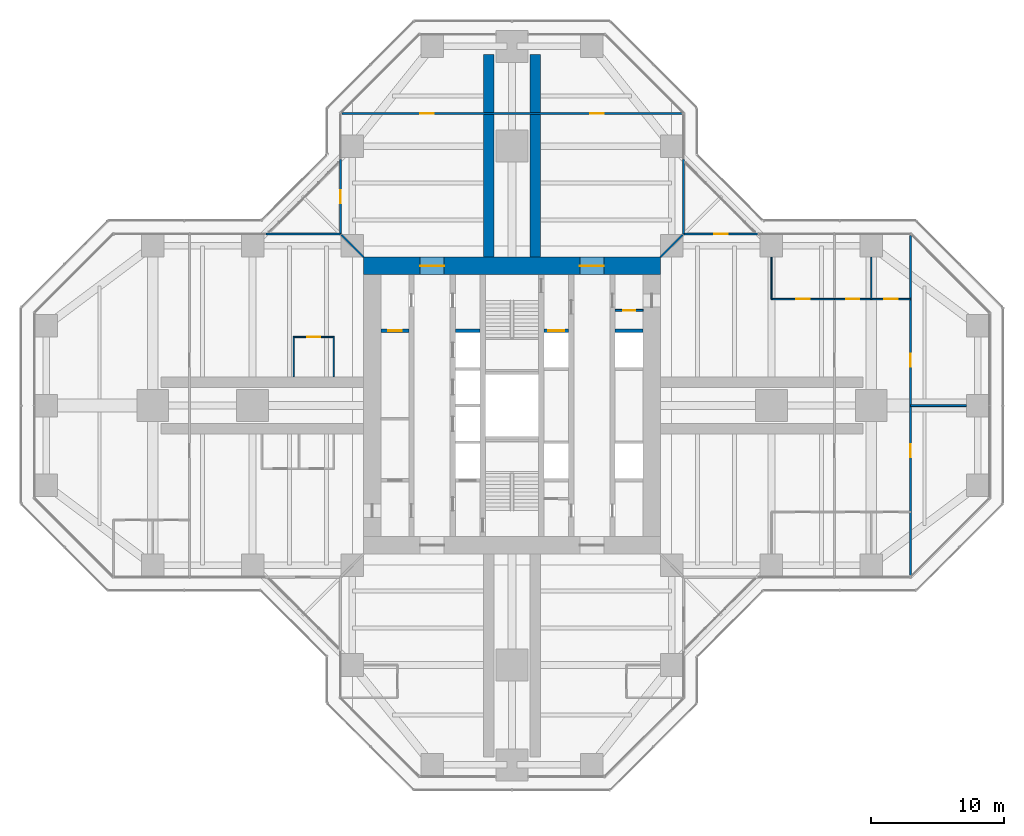
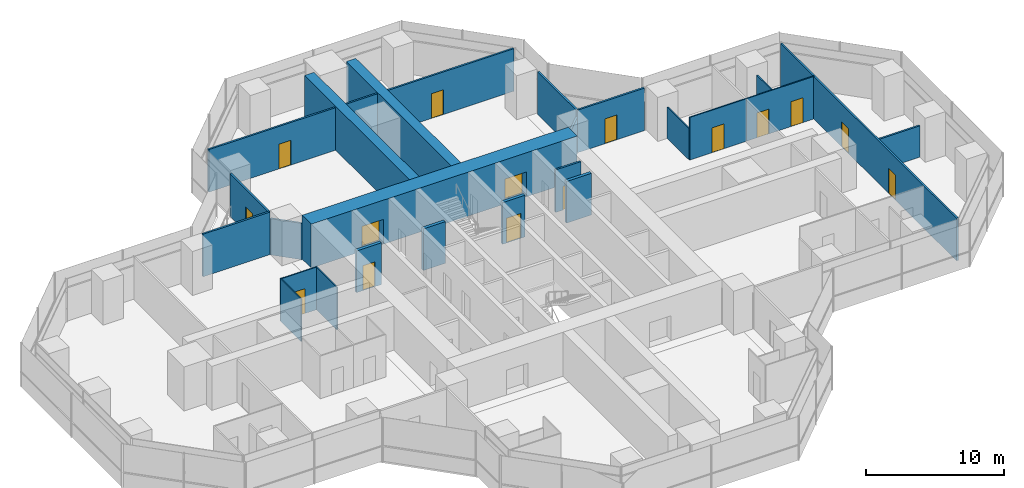
# One storey, part 17 of 20: 24 walls, 15 doors, 15 openings.
"""IFC4 building model written with IfcOpenShell, lengths in metres."""

from ifc_helpers import new_model, si_unit, direction, frame, frame_2d, origin, place, context, subcontext, project, spatial, rectangle, extrude, material, layer, layer_set, type_object, element, fill, save


model = new_model("IFC4")

# Units and contexts
model_context = context("Model", 3, precision=1e-05, world=origin(), true_north=direction((0.0, 1.0)))
body_context = subcontext(model_context, "Body", "Model", "MODEL_VIEW")
ifc_project = project(units=[si_unit("LENGTHUNIT", "METRE"), si_unit("AREAUNIT", "SQUARE_METRE"), si_unit("VOLUMEUNIT", "CUBIC_METRE"), si_unit("PLANEANGLEUNIT", "RADIAN"), si_unit("MASSUNIT", "GRAM", prefix="KILO")], contexts=[model_context])

# Site, building, storey
site_placement = place(None, origin())
site = spatial("IfcSite", under=ifc_project, at=site_placement, CompositionType="ELEMENT")
building_placement = place(site_placement, origin())
building = spatial("IfcBuilding", under=site, at=building_placement, Name="Mizan Broadcast Tower", CompositionType="ELEMENT")
storey_placement = place(building_placement, frame((0.0, 0.0, 143.699951171875)))
storey = spatial("IfcBuildingStorey", under=building, at=storey_placement, Name="L32", CompositionType="ELEMENT", Elevation=143.699951171875)

# Wall, opening, door
ifc_material_1 = material(Name="Concrete blockwork", Category="masonry")
ifc_layer_1 = layer(ifc_material_1, 0.14990234375)
ifc_layer_set_1 = layer_set([ifc_layer_1], Name="Concrete blockwork")
wall_type_1 = type_object("IfcWallType", Name="CORE PARTITION 150", PredefinedType="SOLIDWALL", material=ifc_layer_set_1)
wall_1_placement = place(storey_placement, frame((9.85009765625, 7.14990234375, 0.0), z_axis=(0.0, 0.0, 1.0), x_axis=(-1.0, 0.0, 0.0)))
wall_1 = element("IfcWall", 1, at=wall_1_placement, inside=storey, type_object=wall_type_1, Name="Core partition CORE/XPE", PredefinedType="SOLIDWALL", context=body_context, shape_type="SweptSolid", body=[
    extrude(rectangle(XDim=2.10009765625, YDim=0.14990234375, at=frame_2d((1.050048828125, 0.0))), origin(), (0.0, 0.0, 1.0), 3.77001953125),
])
opening_1_placement = place(wall_1_placement, frame((0.60009765625, 0.0, 0.0)))
opening_1 = element("IfcOpeningElement", 2, at=opening_1_placement, cuts=wall_1, Name="Opening D09F", PredefinedType="OPENING", context=body_context, shape_type="SweptSolid", body=[
    extrude(rectangle(XDim=0.89990234375, YDim=2.10009765625, at=frame_2d((0.449951171875, 1.050048828125))), frame((0.0, 0.0849609375, 0.0), z_axis=(0.0, -1.0, 0.0), x_axis=(1.0, 0.0, 0.0)), (0.0, 0.0, 1.0), 0.169921875),
])
ifc_material_2 = material(Name="Steel door leaf in steel frame", Category="steel")
door_type_1 = type_object("IfcDoorType", Name="CORE ROOM DOOR 900 FD90", OperationType="SINGLE_SWING_LEFT", PredefinedType="DOOR", material=ifc_material_2)
door_1_placement = place(opening_1_placement, origin())
door_1 = element("IfcDoor", 3, at=door_1_placement, inside=storey, type_object=door_type_1, Name="Electrical cupboard door", OperationType="SINGLE_SWING_RIGHT", OverallHeight=2.10009765625, OverallWidth=0.89990234375, PredefinedType="DOOR", context=body_context, shape_type="SweptSolid", body=[
    extrude(rectangle(XDim=0.89990234375, YDim=2.10009765625, at=frame_2d((0.449951171875, 1.050048828125))), frame((0.0, 0.02490234375, 0.0), z_axis=(0.0, -1.0, 0.0), x_axis=(1.0, 0.0, 0.0)), (0.0, 0.0, 1.0), 0.050048828125),
])
fill(opening_1, door_1)

# Wall, openings, doors
ifc_material_3 = material(Name="Concrete C70/85", Category="concrete")
ifc_layer_2 = layer(ifc_material_3, 1.300048828125)
ifc_layer_set_2 = layer_set([ifc_layer_2], Name="Concrete C70/85")
wall_type_2 = type_object("IfcWallType", Name="CORE WALL 1300", PredefinedType="SHEAR", material=ifc_layer_set_2)
wall_2_placement = place(storey_placement, frame((-11.14990234375, 10.5, 0.0), z_axis=(0.0, 0.0, 1.0), x_axis=(1.0, 0.0, 0.0)))
wall_2 = element("IfcWall", 4, at=wall_2_placement, inside=storey, type_object=wall_type_2, Name="Core wall N L32", PredefinedType="SHEAR", context=body_context, shape_type="SweptSolid", body=[
    extrude(rectangle(XDim=22.2998046875, YDim=1.300048828125, at=frame_2d((11.14990234375, 0.0))), origin(), (0.0, 0.0, 1.0), 3.900146484375),
])
opening_2_placement = place(wall_2_placement, frame((4.25, 0.0, 0.0)))
opening_2 = element("IfcOpeningElement", 5, at=opening_2_placement, cuts=wall_2, Name="Opening D18F", PredefinedType="OPENING", context=body_context, shape_type="SweptSolid", body=[
    extrude(rectangle(XDim=1.800048828125, YDim=2.199951171875, at=frame_2d((0.89990234375, 1.10009765625))), frame((0.0, 0.659912109375, 0.0), z_axis=(0.0, -1.0, 0.0), x_axis=(1.0, 0.0, 0.0)), (0.0, 0.0, 1.0), 1.320068359375),
])
opening_3_placement = place(wall_2_placement, frame((16.25, 0.0, 0.0)))
opening_3 = element("IfcOpeningElement", 6, at=opening_3_placement, cuts=wall_2, Name="Opening D18F", PredefinedType="OPENING", context=body_context, shape_type="SweptSolid", body=[
    extrude(rectangle(XDim=1.800048828125, YDim=2.199951171875, at=frame_2d((0.89990234375, 1.10009765625))), frame((0.0, 0.659912109375, 0.0), z_axis=(0.0, -1.0, 0.0), x_axis=(1.0, 0.0, 0.0)), (0.0, 0.0, 1.0), 1.320068359375),
])
ifc_material_4 = material(Name="Steel door leaf in steel frame", Category="steel")
door_type_2 = type_object("IfcDoorType", Name="LOBBY DOUBLE DOOR 1800 FD90", OperationType="DOUBLE_DOOR_DOUBLE_SWING", PredefinedType="DOOR", material=ifc_material_4)
door_2_placement = place(opening_2_placement, origin())
door_2 = element("IfcDoor", 7, at=door_2_placement, inside=storey, type_object=door_type_2, Name="West lift lobby north door", OperationType="DOUBLE_DOOR_DOUBLE_SWING", OverallHeight=2.199951171875, OverallWidth=1.800048828125, PredefinedType="DOOR", context=body_context, shape_type="SweptSolid", body=[
    extrude(rectangle(XDim=1.800048828125, YDim=2.199951171875, at=frame_2d((0.89990234375, 1.10009765625))), frame((0.0, 0.02490234375, 0.0), z_axis=(0.0, -1.0, 0.0), x_axis=(1.0, 0.0, 0.0)), (0.0, 0.0, 1.0), 0.050048828125),
])
fill(opening_2, door_2)
door_3_placement = place(opening_3_placement, origin())
door_3 = element("IfcDoor", 8, at=door_3_placement, inside=storey, type_object=door_type_2, Name="East lift lobby north door", OperationType="DOUBLE_DOOR_DOUBLE_SWING", OverallHeight=2.199951171875, OverallWidth=1.800048828125, PredefinedType="DOOR", context=body_context, shape_type="SweptSolid", body=[
    extrude(rectangle(XDim=1.800048828125, YDim=2.199951171875, at=frame_2d((0.89990234375, 1.10009765625))), frame((0.0, 0.02490234375, 0.0), z_axis=(0.0, -1.0, 0.0), x_axis=(1.0, 0.0, 0.0)), (0.0, 0.0, 1.0), 0.050048828125),
])
fill(opening_3, door_3)

# Wall, opening, door
ifc_material_5 = material(Name="Aluminium framed glazed screen", Category="aluminium")
ifc_layer_3 = layer(ifc_material_5, 0.159912109375)
ifc_layer_set_3 = layer_set([ifc_layer_3], Name="Aluminium framed glazed screen")
wall_type_3 = type_object("IfcWallType", Name="GLAZED SCREEN WALL 160", PredefinedType="SOLIDWALL", material=ifc_layer_set_3)
wall_3_placement = place(storey_placement, frame((18.5, 12.89990234375, 0.0), z_axis=(0.0, 0.0, 1.0), x_axis=(-1.0, 0.0, 0.0)))
wall_3 = element("IfcWall", 9, at=wall_3_placement, inside=storey, type_object=wall_type_3, Name="Winter garden screen L32 E", PredefinedType="SOLIDWALL", context=body_context, shape_type="SweptSolid", body=[
    extrude(rectangle(XDim=5.60009765625, YDim=0.159912109375, at=frame_2d((2.800048828125, 0.0))), origin(), (0.0, 0.0, 1.0), 3.77001953125),
])
opening_4_placement = place(wall_3_placement, frame((2.300048828125, 0.0, 0.0)))
opening_4 = element("IfcOpeningElement", 10, at=opening_4_placement, cuts=wall_3, Name="Opening WGD", PredefinedType="OPENING", context=body_context, shape_type="SweptSolid", body=[
    extrude(rectangle(XDim=1.0, YDim=2.199951171875, at=frame_2d((0.5, 1.10009765625))), frame((0.0, 0.08984375, 0.0), z_axis=(0.0, -1.0, 0.0), x_axis=(1.0, 0.0, 0.0)), (0.0, 0.0, 1.0), 0.179931640625),
])
ifc_material_6 = material(Name="Aluminium framed glazed door", Category="aluminium")
door_type_3 = type_object("IfcDoorType", Name="WINTER GARDEN DOOR 1000 GLAZED", OperationType="SINGLE_SWING_LEFT", PredefinedType="DOOR", material=ifc_material_6)
door_4_placement = place(opening_4_placement, origin())
door_4 = element("IfcDoor", 11, at=door_4_placement, inside=storey, type_object=door_type_3, Name="Winter garden door L32 E", OperationType="SINGLE_SWING_RIGHT", OverallHeight=2.199951171875, OverallWidth=1.0, PredefinedType="DOOR", context=body_context, shape_type="SweptSolid", body=[
    extrude(rectangle(XDim=1.0, YDim=2.199951171875, at=frame_2d((0.5, 1.10009765625))), frame((0.0, 0.02490234375, 0.0), z_axis=(0.0, -1.0, 0.0), x_axis=(1.0, 0.0, 0.0)), (0.0, 0.0, 1.0), 0.050048828125),
])
fill(opening_4, door_4)

# Wall
wall_4_placement = place(storey_placement, frame((12.89990234375, 12.89990234375, 0.0), z_axis=(0.0, 0.0, 1.0), x_axis=(0.0, 1.0, 0.0)))
element("IfcWall", 12, at=wall_4_placement, inside=storey, type_object=wall_type_3, Name="Winter garden screen L32 N", PredefinedType="SOLIDWALL", context=body_context, shape_type="SweptSolid", body=[
    extrude(rectangle(XDim=5.60009765625, YDim=0.159912109375, at=frame_2d((2.800048828125, 0.0))), origin(), (0.0, 0.0, 1.0), 3.77001953125),
])

# Wall, opening, door
wall_5_placement = place(storey_placement, frame((-12.89990234375, 18.5, 0.0), z_axis=(0.0, 0.0, 1.0), x_axis=(0.0, -1.0, 0.0)))
wall_5 = element("IfcWall", 13, at=wall_5_placement, inside=storey, type_object=wall_type_3, Name="Winter garden screen L32 N", PredefinedType="SOLIDWALL", context=body_context, shape_type="SweptSolid", body=[
    extrude(rectangle(XDim=5.60009765625, YDim=0.159912109375, at=frame_2d((2.800048828125, 0.0))), origin(), (0.0, 0.0, 1.0), 3.77001953125),
])
opening_5_placement = place(wall_5_placement, frame((2.300048828125, 0.0, 0.0)))
opening_5 = element("IfcOpeningElement", 14, at=opening_5_placement, cuts=wall_5, Name="Opening WGD", PredefinedType="OPENING", context=body_context, shape_type="SweptSolid", body=[
    extrude(rectangle(XDim=1.0, YDim=2.199951171875, at=frame_2d((0.5, 1.10009765625))), frame((0.0, 0.08984375, 0.0), z_axis=(0.0, -1.0, 0.0), x_axis=(1.0, 0.0, 0.0)), (0.0, 0.0, 1.0), 0.179931640625),
])
door_5_placement = place(opening_5_placement, origin())
door_5 = element("IfcDoor", 15, at=door_5_placement, inside=storey, type_object=door_type_3, Name="Winter garden door L32 N", OperationType="SINGLE_SWING_RIGHT", OverallHeight=2.199951171875, OverallWidth=1.0, PredefinedType="DOOR", context=body_context, shape_type="SweptSolid", body=[
    extrude(rectangle(XDim=1.0, YDim=2.199951171875, at=frame_2d((0.5, 1.10009765625))), frame((0.0, 0.02490234375, 0.0), z_axis=(0.0, -1.0, 0.0), x_axis=(1.0, 0.0, 0.0)), (0.0, 0.0, 1.0), 0.050048828125),
])
fill(opening_5, door_5)

# Wall
wall_6_placement = place(storey_placement, frame((-12.89990234375, 12.89990234375, 0.0), z_axis=(0.0, 0.0, 1.0), x_axis=(-1.0, 0.0, 0.0)))
element("IfcWall", 16, at=wall_6_placement, inside=storey, type_object=wall_type_3, Name="Winter garden screen L32 W", PredefinedType="SOLIDWALL", context=body_context, shape_type="SweptSolid", body=[
    extrude(rectangle(XDim=5.60009765625, YDim=0.159912109375, at=frame_2d((2.800048828125, 0.0))), origin(), (0.0, 0.0, 1.0), 3.77001953125),
])

# Wall, opening, door
ifc_material_7 = material(Name="Concrete blockwork", Category="masonry")
ifc_layer_4 = layer(ifc_material_7, 0.25)
ifc_layer_set_4 = layer_set([ifc_layer_4], Name="Concrete blockwork")
wall_type_4 = type_object("IfcWallType", Name="LOBBY ENCLOSURE WALL 250", PredefinedType="SOLIDWALL", material=ifc_layer_set_4)
wall_7_placement = place(storey_placement, frame((-9.85009765625, 5.625, 0.0), z_axis=(0.0, 0.0, 1.0), x_axis=(1.0, 0.0, 0.0)))
wall_7 = element("IfcWall", 17, at=wall_7_placement, inside=storey, type_object=wall_type_4, Name="Lobby enclosure wall CORE/BW1N", PredefinedType="SOLIDWALL", context=body_context, shape_type="SweptSolid", body=[
    extrude(rectangle(XDim=2.10009765625, YDim=0.25, at=frame_2d((1.050048828125, 0.0))), origin(), (0.0, 0.0, 1.0), 3.699951171875),
])
opening_6_placement = place(wall_7_placement, frame((0.550048828125, 0.0, 0.0)))
opening_6 = element("IfcOpeningElement", 18, at=opening_6_placement, cuts=wall_7, Name="Opening D10F", PredefinedType="OPENING", context=body_context, shape_type="SweptSolid", body=[
    extrude(rectangle(XDim=1.0, YDim=2.199951171875, at=frame_2d((0.5, 1.10009765625))), frame((0.0, 0.135009765625, 0.0), z_axis=(0.0, -1.0, 0.0), x_axis=(1.0, 0.0, 0.0)), (0.0, 0.0, 1.0), 0.27001953125),
])
ifc_material_8 = material(Name="Steel door leaf in steel frame", Category="steel")
door_type_4 = type_object("IfcDoorType", Name="FIRE DOOR 1000 FD90", OperationType="SINGLE_SWING_LEFT", PredefinedType="DOOR", material=ifc_material_8)
door_6_placement = place(opening_6_placement, origin())
door_6 = element("IfcDoor", 19, at=door_6_placement, inside=storey, type_object=door_type_4, Name="Staff changing room door", OperationType="SINGLE_SWING_RIGHT", OverallHeight=2.199951171875, OverallWidth=1.0, PredefinedType="DOOR", context=body_context, shape_type="SweptSolid", body=[
    extrude(rectangle(XDim=1.0, YDim=2.199951171875, at=frame_2d((0.5, 1.10009765625))), frame((0.0, 0.02490234375, 0.0), z_axis=(0.0, -1.0, 0.0), x_axis=(1.0, 0.0, 0.0)), (0.0, 0.0, 1.0), 0.050048828125),
])
fill(opening_6, door_6)

# Wall
wall_8_placement = place(storey_placement, frame((-4.25, 5.625, 0.0), z_axis=(0.0, 0.0, 1.0), x_axis=(1.0, 0.0, 0.0)))
element("IfcWall", 20, at=wall_8_placement, inside=storey, type_object=wall_type_4, Name="Lobby enclosure wall CORE/BW2N", PredefinedType="SOLIDWALL", context=body_context, shape_type="SweptSolid", body=[
    extrude(rectangle(XDim=1.85009765625, YDim=0.25, at=frame_2d((0.925048828125, 0.0))), origin(), (0.0, 0.0, 1.0), 3.699951171875),
])

# Wall, opening, door
wall_9_placement = place(storey_placement, frame((2.39990234375, 5.625, 0.0), z_axis=(0.0, 0.0, 1.0), x_axis=(1.0, 0.0, 0.0)))
wall_9 = element("IfcWall", 21, at=wall_9_placement, inside=storey, type_object=wall_type_4, Name="Lobby enclosure wall CORE/BE2N", PredefinedType="SOLIDWALL", context=body_context, shape_type="SweptSolid", body=[
    extrude(rectangle(XDim=1.85009765625, YDim=0.25, at=frame_2d((0.925048828125, 0.0))), origin(), (0.0, 0.0, 1.0), 3.699951171875),
])
opening_7_placement = place(wall_9_placement, frame((0.324951171875, 0.0, 0.0)))
opening_7 = element("IfcOpeningElement", 22, at=opening_7_placement, cuts=wall_9, Name="Opening LDF", PredefinedType="OPENING", context=body_context, shape_type="SweptSolid", body=[
    extrude(rectangle(XDim=1.199951171875, YDim=2.199951171875, at=frame_2d((0.60009765625, 1.10009765625))), frame((0.0, 0.135009765625, 0.0), z_axis=(0.0, -1.0, 0.0), x_axis=(1.0, 0.0, 0.0)), (0.0, 0.0, 1.0), 0.27001953125),
])
ifc_material_9 = material(Name="Steel door leaf in steel frame", Category="steel")
door_type_5 = type_object("IfcDoorType", Name="FIREFIGHTING LIFT LANDING DOOR 1200", OperationType="SLIDING_TO_LEFT", PredefinedType="DOOR", material=ifc_material_9)
door_7_placement = place(opening_7_placement, origin())
door_7 = element("IfcDoor", 23, at=door_7_placement, inside=storey, type_object=door_type_5, Name="Landing door FF2", OperationType="SLIDING_TO_LEFT", OverallHeight=2.199951171875, OverallWidth=1.199951171875, PredefinedType="DOOR", context=body_context, shape_type="SweptSolid", body=[
    extrude(rectangle(XDim=1.199951171875, YDim=2.199951171875, at=frame_2d((0.60009765625, 1.10009765625))), frame((0.0, 0.02490234375, 0.0), z_axis=(0.0, -1.0, 0.0), x_axis=(1.0, 0.0, 0.0)), (0.0, 0.0, 1.0), 0.050048828125),
])
fill(opening_7, door_7)

# Wall
wall_10_placement = place(storey_placement, frame((7.75, 5.625, 0.0), z_axis=(0.0, 0.0, 1.0), x_axis=(1.0, 0.0, 0.0)))
element("IfcWall", 24, at=wall_10_placement, inside=storey, type_object=wall_type_4, Name="Lobby enclosure wall CORE/BE1N", PredefinedType="SOLIDWALL", context=body_context, shape_type="SweptSolid", body=[
    extrude(rectangle(XDim=2.10009765625, YDim=0.25, at=frame_2d((1.050048828125, 0.0))), origin(), (0.0, 0.0, 1.0), 3.699951171875),
])

# Wall, openings, doors
ifc_material_10 = material(Name="Gypsum board on steel studs", Category="steel")
ifc_layer_5 = layer(ifc_material_10, 0.14990234375)
ifc_layer_set_5 = layer_set([ifc_layer_5], Name="Gypsum board on steel studs")
wall_type_5 = type_object("IfcWallType", Name="PARTITION 150", PredefinedType="PARTITIONING", material=ifc_layer_set_5)
wall_11_placement = place(storey_placement, frame((29.958984375, -12.786376953125, 0.0), z_axis=(0.0, 0.0, 1.0), x_axis=(0.0, 1.0, 0.0)))
wall_11 = element("IfcWall", 25, at=wall_11_placement, inside=storey, type_object=wall_type_5, Name="Partition PT/EX2", PredefinedType="PARTITIONING", context=body_context, shape_type="SweptSolid", body=[
    extrude(rectangle(XDim=25.57275390625, YDim=0.14990234375, at=frame_2d((12.786376953125, 0.0))), origin(), (0.0, 0.0, 1.0), 3.77001953125),
])
opening_8_placement = place(wall_11_placement, frame((15.6865234375, 0.0, 0.0)))
opening_8 = element("IfcOpeningElement", 26, at=opening_8_placement, cuts=wall_11, Name="Opening D10", PredefinedType="OPENING", context=body_context, shape_type="SweptSolid", body=[
    extrude(rectangle(XDim=1.0, YDim=2.199951171875, at=frame_2d((0.5, 1.10009765625))), frame((0.0, 0.0849609375, 0.0), z_axis=(0.0, -1.0, 0.0), x_axis=(1.0, 0.0, 0.0)), (0.0, 0.0, 1.0), 0.169921875),
])
opening_9_placement = place(wall_11_placement, frame((8.886474609375, 0.0, 0.0)))
opening_9 = element("IfcOpeningElement", 27, at=opening_9_placement, cuts=wall_11, Name="Opening D10", PredefinedType="OPENING", context=body_context, shape_type="SweptSolid", body=[
    extrude(rectangle(XDim=1.0, YDim=2.199951171875, at=frame_2d((0.5, 1.10009765625))), frame((0.0, 0.0849609375, 0.0), z_axis=(0.0, -1.0, 0.0), x_axis=(1.0, 0.0, 0.0)), (0.0, 0.0, 1.0), 0.169921875),
])
ifc_material_11 = material(Name="Timber door leaf in aluminium frame", Category="wood")
door_type_6 = type_object("IfcDoorType", Name="ROOM DOOR 1000", OperationType="SINGLE_SWING_LEFT", PredefinedType="DOOR", material=ifc_material_11)
door_8_placement = place(opening_8_placement, origin())
door_8 = element("IfcDoor", 28, at=door_8_placement, inside=storey, type_object=door_type_6, Name="Open office door", OperationType="SINGLE_SWING_RIGHT", OverallHeight=2.199951171875, OverallWidth=1.0, PredefinedType="DOOR", context=body_context, shape_type="SweptSolid", body=[
    extrude(rectangle(XDim=1.0, YDim=2.199951171875, at=frame_2d((0.5, 1.10009765625))), frame((0.0, 0.02490234375, 0.0), z_axis=(0.0, -1.0, 0.0), x_axis=(1.0, 0.0, 0.0)), (0.0, 0.0, 1.0), 0.050048828125),
])
fill(opening_8, door_8)
door_9_placement = place(opening_9_placement, origin())
door_9 = element("IfcDoor", 29, at=door_9_placement, inside=storey, type_object=door_type_6, Name="Open office door", OperationType="SINGLE_SWING_LEFT", OverallHeight=2.199951171875, OverallWidth=1.0, PredefinedType="DOOR", context=body_context, shape_type="SweptSolid", body=[
    extrude(rectangle(XDim=1.0, YDim=2.199951171875, at=frame_2d((0.5, 1.10009765625))), frame((0.0, 0.02490234375, 0.0), z_axis=(0.0, -1.0, 0.0), x_axis=(1.0, 0.0, 0.0)), (0.0, 0.0, 1.0), 0.050048828125),
])
fill(opening_9, door_9)

# Wall
wall_12_placement = place(storey_placement, frame((29.958984375, 0.0, 0.0), z_axis=(0.0, 0.0, 1.0), x_axis=(1.0, 0.0, 0.0)))
element("IfcWall", 30, at=wall_12_placement, inside=storey, type_object=wall_type_5, Name="Partition PT/EES", PredefinedType="PARTITIONING", context=body_context, shape_type="SweptSolid", body=[
    extrude(rectangle(XDim=4.19091796875, YDim=0.14990234375, at=frame_2d((2.095458984375, 0.0))), origin(), (0.0, 0.0, 1.0), 2.77001953125),
])

# Wall, openings, doors
wall_13_placement = place(storey_placement, frame((12.786376953125, 21.958984375, 0.0), z_axis=(0.0, 0.0, 1.0), x_axis=(-1.0, 0.0, 0.0)))
wall_13 = element("IfcWall", 31, at=wall_13_placement, inside=storey, type_object=wall_type_5, Name="Partition PT/NX1", PredefinedType="PARTITIONING", context=body_context, shape_type="SweptSolid", body=[
    extrude(rectangle(XDim=25.57275390625, YDim=0.14990234375, at=frame_2d((12.786376953125, 0.0))), origin(), (0.0, 0.0, 1.0), 3.77001953125),
])
opening_10_placement = place(wall_13_placement, frame((18.6865234375, 0.0, 0.0)))
opening_10 = element("IfcOpeningElement", 32, at=opening_10_placement, cuts=wall_13, Name="Opening D10", PredefinedType="OPENING", context=body_context, shape_type="SweptSolid", body=[
    extrude(rectangle(XDim=1.0, YDim=2.199951171875, at=frame_2d((0.5, 1.10009765625))), frame((0.0, 0.0849609375, 0.0), z_axis=(0.0, -1.0, 0.0), x_axis=(1.0, 0.0, 0.0)), (0.0, 0.0, 1.0), 0.169921875),
])
opening_11_placement = place(wall_13_placement, frame((5.886474609375, 0.0, 0.0)))
opening_11 = element("IfcOpeningElement", 33, at=opening_11_placement, cuts=wall_13, Name="Opening D10", PredefinedType="OPENING", context=body_context, shape_type="SweptSolid", body=[
    extrude(rectangle(XDim=1.0, YDim=2.199951171875, at=frame_2d((0.5, 1.10009765625))), frame((0.0, 0.0849609375, 0.0), z_axis=(0.0, -1.0, 0.0), x_axis=(1.0, 0.0, 0.0)), (0.0, 0.0, 1.0), 0.169921875),
])
door_10_placement = place(opening_10_placement, origin())
door_10 = element("IfcDoor", 34, at=door_10_placement, inside=storey, type_object=door_type_6, Name="Meeting room door", OperationType="SINGLE_SWING_RIGHT", OverallHeight=2.199951171875, OverallWidth=1.0, PredefinedType="DOOR", context=body_context, shape_type="SweptSolid", body=[
    extrude(rectangle(XDim=1.0, YDim=2.199951171875, at=frame_2d((0.5, 1.10009765625))), frame((0.0, 0.02490234375, 0.0), z_axis=(0.0, -1.0, 0.0), x_axis=(1.0, 0.0, 0.0)), (0.0, 0.0, 1.0), 0.050048828125),
])
fill(opening_10, door_10)
door_11_placement = place(opening_11_placement, origin())
door_11 = element("IfcDoor", 35, at=door_11_placement, inside=storey, type_object=door_type_6, Name="Meeting room door", OperationType="SINGLE_SWING_LEFT", OverallHeight=2.199951171875, OverallWidth=1.0, PredefinedType="DOOR", context=body_context, shape_type="SweptSolid", body=[
    extrude(rectangle(XDim=1.0, YDim=2.199951171875, at=frame_2d((0.5, 1.10009765625))), frame((0.0, 0.02490234375, 0.0), z_axis=(0.0, -1.0, 0.0), x_axis=(1.0, 0.0, 0.0)), (0.0, 0.0, 1.0), 0.050048828125),
])
fill(opening_11, door_11)

# Walls
for number, where, z_axis, x_axis, name in (
    (36, (11.14990234375, 11.14990234375, 0.0), (0.0, 0.0, 1.0), (0.707106781187, 0.707106781187, 0.0), "Partition PT/DGEN"),
    (37, (-11.14990234375, 11.14990234375, 0.0), (0.0, 0.0, 1.0), (-0.707106781187, 0.707106781187, 0.0), "Partition PT/DGWN"),
):
    element("IfcWall", number, at=place(storey_placement, frame(where, z_axis=z_axis, x_axis=x_axis)), inside=storey, type_object=wall_type_5, Name=name, PredefinedType="PARTITIONING", context=body_context, shape_type="SweptSolid", body=[
        extrude(rectangle(XDim=2.362060546875, YDim=0.14990234375, at=frame_2d((1.18115234375, 0.0))), origin(), (0.0, 0.0, 1.0), 3.219970703125),
    ])

# Wall, opening, door
ifc_material_12 = material(Name="Glazed aluminium partition on aluminium track", Category="aluminium")
ifc_layer_6 = layer(ifc_material_12, 0.10009765625)
ifc_layer_set_6 = layer_set([ifc_layer_6], Name="Glazed aluminium partition on aluminium track")
wall_type_6 = type_object("IfcWallType", Name="PARTITION GLAZED OFFICE FRONT 100", PredefinedType="PARTITIONING", material=ifc_layer_set_6)
wall_14_placement = place(storey_placement, frame((19.5, 8.0, 0.0), z_axis=(0.0, 0.0, 1.0), x_axis=(1.0, 0.0, 0.0)))
wall_14 = element("IfcWall", 38, at=wall_14_placement, inside=storey, type_object=wall_type_6, Name="Glazed office front PT/ECP0", PredefinedType="PARTITIONING", context=body_context, shape_type="SweptSolid", body=[
    extrude(rectangle(XDim=4.72900390625, YDim=0.10009765625, at=frame_2d((2.364501953125, 0.0))), origin(), (0.0, 0.0, 1.0), 3.77001953125),
])
opening_12_placement = place(wall_14_placement, frame((1.864501953125, 0.0, 0.0)))
opening_12 = element("IfcOpeningElement", 39, at=opening_12_placement, cuts=wall_14, Name="Opening D10O", PredefinedType="OPENING", context=body_context, shape_type="SweptSolid", body=[
    extrude(rectangle(XDim=1.0, YDim=2.199951171875, at=frame_2d((0.5, 1.10009765625))), frame((0.0, 0.06005859375, 0.0), z_axis=(0.0, -1.0, 0.0), x_axis=(1.0, 0.0, 0.0)), (0.0, 0.0, 1.0), 0.1201171875),
])
ifc_material_13 = material(Name="Timber door leaf in aluminium frame", Category="wood")
door_type_7 = type_object("IfcDoorType", Name="OFFICE DOOR 1000 GLAZED", OperationType="SINGLE_SWING_LEFT", PredefinedType="DOOR", material=ifc_material_13)
door_12_placement = place(opening_12_placement, origin())
door_12 = element("IfcDoor", 40, at=door_12_placement, inside=storey, type_object=door_type_7, Name="Lawyer's office door", OperationType="SINGLE_SWING_LEFT", OverallHeight=2.199951171875, OverallWidth=1.0, PredefinedType="DOOR", context=body_context, shape_type="SweptSolid", body=[
    extrude(rectangle(XDim=1.0, YDim=2.199951171875, at=frame_2d((0.5, 1.10009765625))), frame((0.0, 0.02490234375, 0.0), z_axis=(0.0, -1.0, 0.0), x_axis=(1.0, 0.0, 0.0)), (0.0, 0.0, 1.0), 0.050048828125),
])
fill(opening_12, door_12)

# Wall, openings, doors
wall_15_placement = place(storey_placement, frame((24.22900390625, 8.0, 0.0), z_axis=(0.0, 0.0, 1.0), x_axis=(1.0, 0.0, 0.0)))
wall_15 = element("IfcWall", 41, at=wall_15_placement, inside=storey, type_object=wall_type_6, Name="Glazed office front PT/ECP1", PredefinedType="PARTITIONING", context=body_context, shape_type="SweptSolid", body=[
    extrude(rectangle(XDim=5.72998046875, YDim=0.10009765625, at=frame_2d((2.864990234375, 0.0))), origin(), (0.0, 0.0, 1.0), 3.77001953125),
])
opening_13_placement = place(wall_15_placement, frame((0.885498046875, 0.0, 0.0)))
opening_13 = element("IfcOpeningElement", 42, at=opening_13_placement, cuts=wall_15, Name="Opening D10O", PredefinedType="OPENING", context=body_context, shape_type="SweptSolid", body=[
    extrude(rectangle(XDim=1.0, YDim=2.199951171875, at=frame_2d((0.5, 1.10009765625))), frame((0.0, 0.06005859375, 0.0), z_axis=(0.0, -1.0, 0.0), x_axis=(1.0, 0.0, 0.0)), (0.0, 0.0, 1.0), 0.1201171875),
])
opening_14_placement = place(wall_15_placement, frame((3.75048828125, 0.0, 0.0)))
opening_14 = element("IfcOpeningElement", 43, at=opening_14_placement, cuts=wall_15, Name="Opening D10O", PredefinedType="OPENING", context=body_context, shape_type="SweptSolid", body=[
    extrude(rectangle(XDim=1.0, YDim=2.199951171875, at=frame_2d((0.5, 1.10009765625))), frame((0.0, 0.06005859375, 0.0), z_axis=(0.0, -1.0, 0.0), x_axis=(1.0, 0.0, 0.0)), (0.0, 0.0, 1.0), 0.1201171875),
])
door_13_placement = place(opening_13_placement, origin())
door_13 = element("IfcDoor", 44, at=door_13_placement, inside=storey, type_object=door_type_7, Name="Lawyer's office door", OperationType="SINGLE_SWING_LEFT", OverallHeight=2.199951171875, OverallWidth=1.0, PredefinedType="DOOR", context=body_context, shape_type="SweptSolid", body=[
    extrude(rectangle(XDim=1.0, YDim=2.199951171875, at=frame_2d((0.5, 1.10009765625))), frame((0.0, 0.02490234375, 0.0), z_axis=(0.0, -1.0, 0.0), x_axis=(1.0, 0.0, 0.0)), (0.0, 0.0, 1.0), 0.050048828125),
])
fill(opening_13, door_13)
door_14_placement = place(opening_14_placement, origin())
door_14 = element("IfcDoor", 45, at=door_14_placement, inside=storey, type_object=door_type_7, Name="Lawyer's office door", OperationType="SINGLE_SWING_RIGHT", OverallHeight=2.199951171875, OverallWidth=1.0, PredefinedType="DOOR", context=body_context, shape_type="SweptSolid", body=[
    extrude(rectangle(XDim=1.0, YDim=2.199951171875, at=frame_2d((0.5, 1.10009765625))), frame((0.0, 0.02490234375, 0.0), z_axis=(0.0, -1.0, 0.0), x_axis=(1.0, 0.0, 0.0)), (0.0, 0.0, 1.0), 0.050048828125),
])
fill(opening_14, door_14)

# Walls
wall_16_placement = place(storey_placement, frame((19.5, 8.0, 0.0), z_axis=(0.0, 0.0, 1.0), x_axis=(0.0, 1.0, 0.0)))
element("IfcWall", 46, at=wall_16_placement, inside=storey, type_object=wall_type_6, Name="Glazed office front PT/EQP1950", PredefinedType="PARTITIONING", context=body_context, shape_type="SweptSolid", body=[
    extrude(rectangle(XDim=3.14990234375, YDim=0.10009765625, at=frame_2d((1.574951171875, 0.0))), origin(), (0.0, 0.0, 1.0), 2.77001953125),
])
wall_17_placement = place(storey_placement, frame((27.0, 8.0, 0.0), z_axis=(0.0, 0.0, 1.0), x_axis=(0.0, 1.0, 0.0)))
element("IfcWall", 47, at=wall_17_placement, inside=storey, type_object=wall_type_6, Name="Glazed office front PT/EQP2700", PredefinedType="PARTITIONING", context=body_context, shape_type="SweptSolid", body=[
    extrude(rectangle(XDim=3.14990234375, YDim=0.10009765625, at=frame_2d((1.574951171875, 0.0))), origin(), (0.0, 0.0, 1.0), 2.969970703125),
])
for number, where, z_axis, x_axis, name in (
    (48, (-13.39990234375, 2.14990234375, 0.0), (0.0, 0.0, 1.0), (0.0, 1.0, 0.0), "Glazed office front PT/WKN0a"),
    (49, (-16.39990234375, 2.14990234375, 0.0), (0.0, 0.0, 1.0), (0.0, 1.0, 0.0), "Glazed office front PT/WKN0b"),
):
    element("IfcWall", number, at=place(storey_placement, frame(where, z_axis=z_axis, x_axis=x_axis)), inside=storey, type_object=wall_type_6, Name=name, PredefinedType="PARTITIONING", context=body_context, shape_type="SweptSolid", body=[
        extrude(rectangle(XDim=3.0, YDim=0.10009765625, at=frame_2d((1.5, 0.0))), origin(), (0.0, 0.0, 1.0), 3.77001953125),
    ])

# Wall, opening, door
wall_18_placement = place(storey_placement, frame((-13.35009765625, 5.14990234375, 0.0), z_axis=(0.0, 0.0, 1.0), x_axis=(-1.0, 0.0, 0.0)))
wall_18 = element("IfcWall", 50, at=wall_18_placement, inside=storey, type_object=wall_type_6, Name="Glazed office front PT/WKN0f", PredefinedType="PARTITIONING", context=body_context, shape_type="SweptSolid", body=[
    extrude(rectangle(XDim=3.099853515625, YDim=0.10009765625, at=frame_2d((1.5498046875, 0.0))), origin(), (0.0, 0.0, 1.0), 3.77001953125),
])
opening_15_placement = place(wall_18_placement, frame((1.050048828125, 0.0, 0.0)))
opening_15 = element("IfcOpeningElement", 51, at=opening_15_placement, cuts=wall_18, Name="Opening D10O", PredefinedType="OPENING", context=body_context, shape_type="SweptSolid", body=[
    extrude(rectangle(XDim=1.0, YDim=2.199951171875, at=frame_2d((0.5, 1.10009765625))), frame((0.0, 0.06005859375, 0.0), z_axis=(0.0, -1.0, 0.0), x_axis=(1.0, 0.0, 0.0)), (0.0, 0.0, 1.0), 0.1201171875),
])
door_15_placement = place(opening_15_placement, origin())
door_15 = element("IfcDoor", 52, at=door_15_placement, inside=storey, type_object=door_type_7, Name="Pantry door", OperationType="SINGLE_SWING_LEFT", OverallHeight=2.199951171875, OverallWidth=1.0, PredefinedType="DOOR", context=body_context, shape_type="SweptSolid", body=[
    extrude(rectangle(XDim=1.0, YDim=2.199951171875, at=frame_2d((0.5, 1.10009765625))), frame((0.0, 0.02490234375, 0.0), z_axis=(0.0, -1.0, 0.0), x_axis=(1.0, 0.0, 0.0)), (0.0, 0.0, 1.0), 0.050048828125),
])
fill(opening_15, door_15)

# Walls
ifc_material_14 = material(Name="Concrete C70/85", Category="concrete")
ifc_layer_7 = layer(ifc_material_14, 0.800048828125)
ifc_layer_set_7 = layer_set([ifc_layer_7], Name="Concrete C70/85")
wall_type_7 = type_object("IfcWallType", Name="SPINE WALL 800", PredefinedType="SHEAR", material=ifc_layer_set_7)
for number, where, z_axis, x_axis, name in (
    (53, (1.75, 11.14990234375, 0.0), (0.0, 0.0, 1.0), (0.0, 1.0, 0.0), "Spine wall NR L32"),
    (54, (-1.75, 11.14990234375, 0.0), (0.0, 0.0, 1.0), (0.0, 1.0, 0.0), "Spine wall NL L32"),
):
    element("IfcWall", number, at=place(storey_placement, frame(where, z_axis=z_axis, x_axis=x_axis)), inside=storey, type_object=wall_type_7, Name=name, PredefinedType="SHEAR", context=body_context, shape_type="SweptSolid", body=[
        extrude(rectangle(XDim=15.25, YDim=0.800048828125, at=frame_2d((7.625, 0.0))), origin(), (0.0, 0.0, 1.0), 3.900146484375),
    ])

save(model, "model.ifc")
